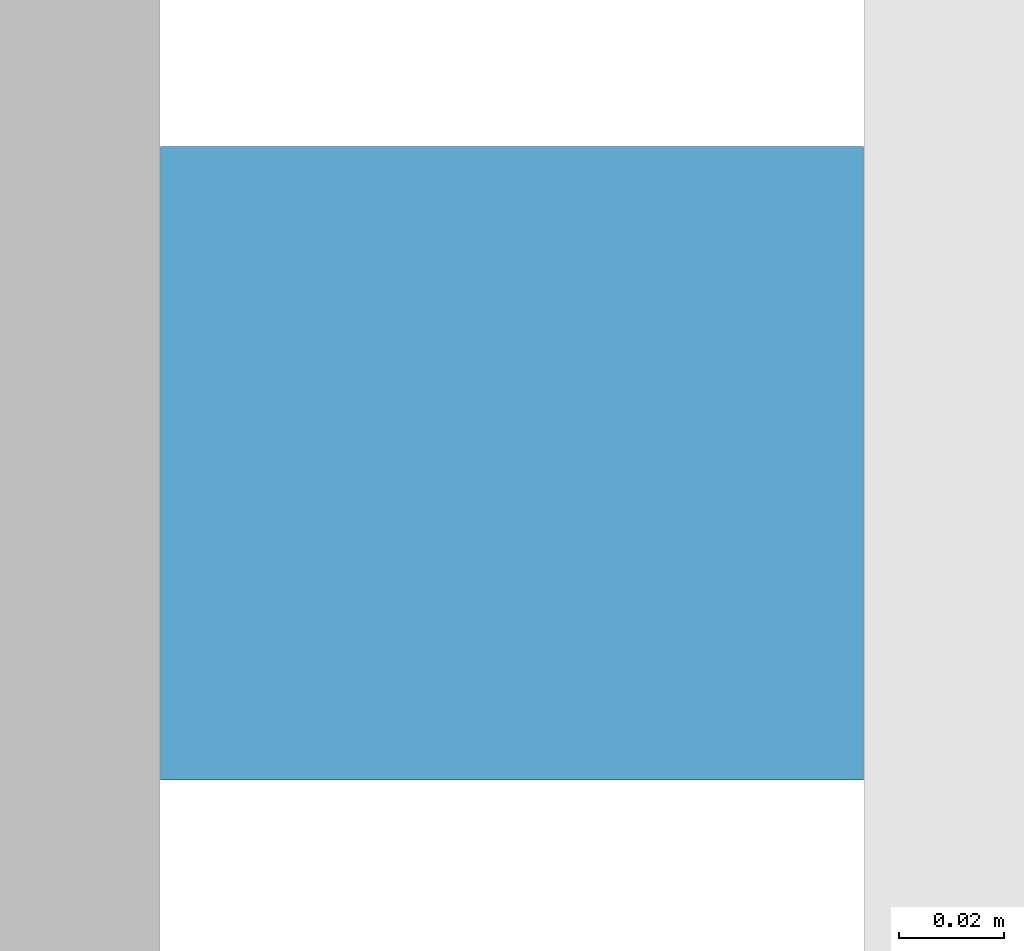
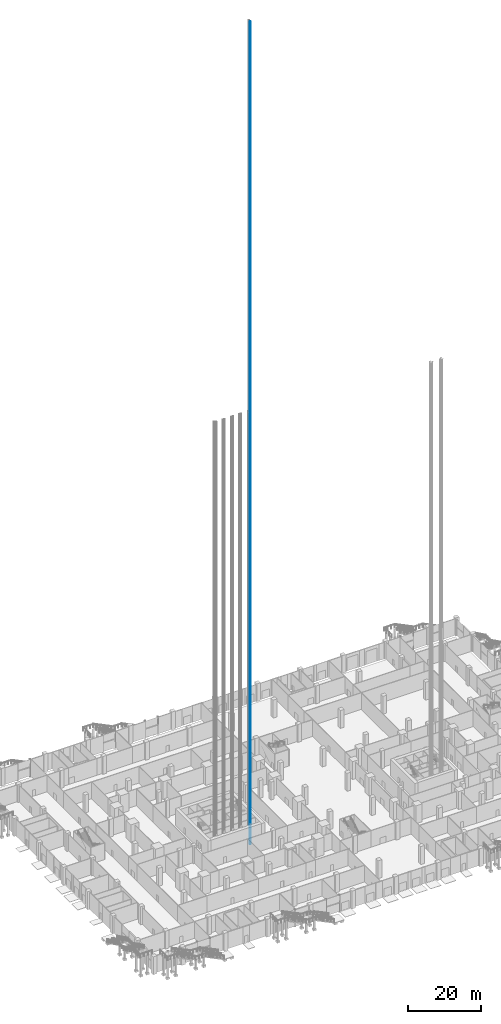
# One storey, part 50 of 68: 1 discrete accessory.
"""IFC4 building model written with IfcOpenShell, lengths in metres."""

from ifc_helpers import new_model, si_unit, direction, frame, origin, origin_2d, place, context, subcontext, project, spatial, rectangle, extrude, element, save


model = new_model("IFC4")

# Units and contexts
model_context = context("Model", 3, precision=1e-05, world=origin(), true_north=direction((0.0, 1.0)))
body_context = subcontext(model_context, "Body", "Model", "MODEL_VIEW")
ifc_project = project(units=[si_unit("LENGTHUNIT", "METRE"), si_unit("AREAUNIT", "SQUARE_METRE"), si_unit("VOLUMEUNIT", "CUBIC_METRE"), si_unit("PLANEANGLEUNIT", "RADIAN"), si_unit("MASSUNIT", "GRAM", prefix="KILO")], contexts=[model_context])

# Site, building, storey
site_placement = place(None, origin())
site = spatial("IfcSite", under=ifc_project, at=site_placement, CompositionType="ELEMENT")
building_placement = place(site_placement, origin())
building = spatial("IfcBuilding", under=site, at=building_placement, Name="Altepetl Exchange Towers", CompositionType="ELEMENT")
storey_placement = place(building_placement, origin())
storey = spatial("IfcBuildingStorey", under=building, at=storey_placement, Name="L00 Ground concourse", CompositionType="ELEMENT", Elevation=0.0)

# Discrete accessory
discrete_accessory_placement = place(storey_placement, frame((55.0, 42.39990234375, -1.599853515625)))
element("IfcDiscreteAccessory", 1, at=discrete_accessory_placement, inside=storey, Name="Guide rail OBS1", ObjectType="GUIDE RAIL", PredefinedType="USERDEFINED", context=body_context, shape_type="SweptSolid", body=[
    extrude(rectangle(XDim=0.13330078125, YDim=0.1201171875, at=origin_2d()), origin(), (0.0, 0.0, 1.0), 275.64990234375),
])

save(model, "model.ifc")
